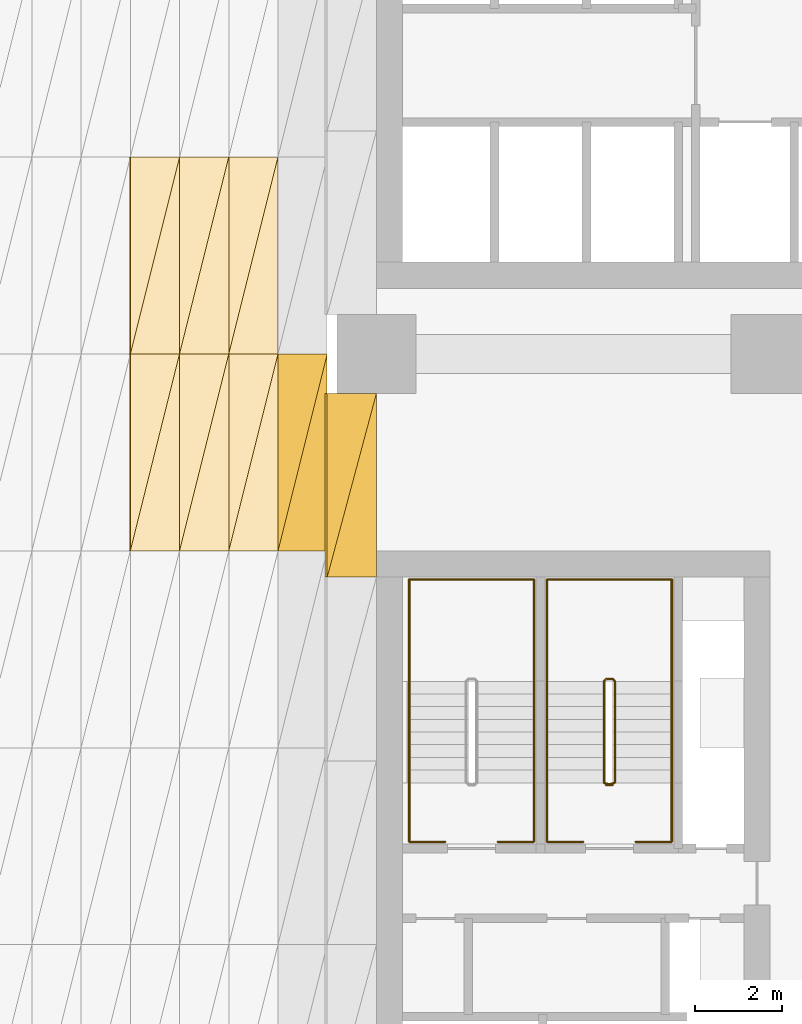
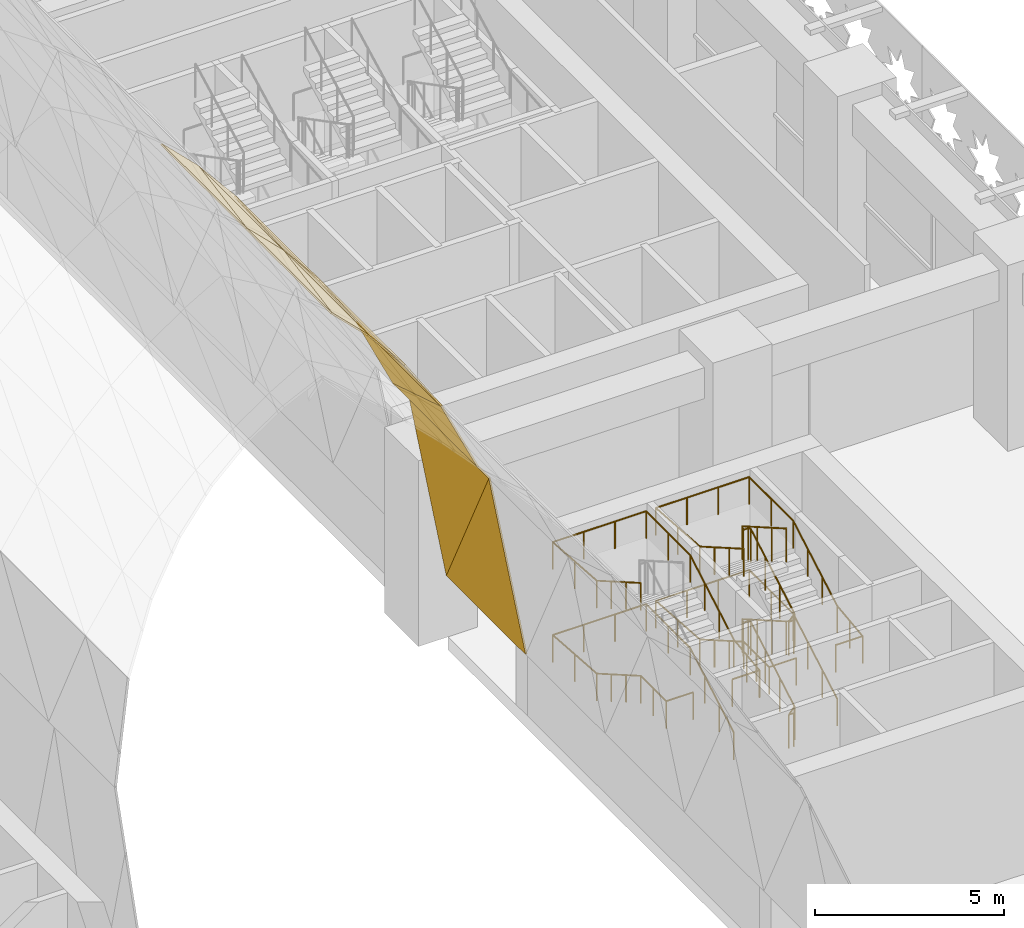
# One storey, part 38 of 46: 16 coverings, 5 railings.
"""IFC4 building model written with IfcOpenShell, lengths in metres."""

from ifc_helpers import new_model, si_unit, direction, frame, origin, origin_2d, place, context, subcontext, project, spatial, polyline, circle, outline, extrude, material, layer, layer_set, type_object, element, save


model = new_model("IFC4")

# Units and contexts
model_context = context("Model", 3, precision=1e-05, world=origin(), true_north=direction((0.0, 1.0)))
body_context = subcontext(model_context, "Body", "Model", "MODEL_VIEW")
ifc_project = project(units=[si_unit("LENGTHUNIT", "METRE"), si_unit("AREAUNIT", "SQUARE_METRE"), si_unit("VOLUMEUNIT", "CUBIC_METRE"), si_unit("PLANEANGLEUNIT", "RADIAN"), si_unit("MASSUNIT", "GRAM", prefix="KILO")], contexts=[model_context])

# Site, building, storey
site_placement = place(None, origin())
site = spatial("IfcSite", under=ifc_project, at=site_placement, CompositionType="ELEMENT")
building_placement = place(site_placement, origin())
building = spatial("IfcBuilding", under=site, at=building_placement, Name="Tessera Arch", CompositionType="ELEMENT")
storey_placement = place(building_placement, frame((0.0, 0.0, 8.0)))
storey = spatial("IfcBuildingStorey", under=building, at=storey_placement, Name="L01", CompositionType="ELEMENT", Elevation=8.0)

# Coverings
ifc_material_1 = material(Name="Aluminium cladding pale metal anodised", Category="aluminium")
ifc_layer = layer(ifc_material_1, 0.050048828125)
ifc_layer_set = layer_set([ifc_layer], Name="Arch soffit panel")
covering_type = type_object("IfcCoveringType", Name="Arch soffit panel", PredefinedType="CLADDING", material=ifc_layer_set)
covering_1_placement = place(storey_placement, frame((30.375, 22.5, 14.6337890625), z_axis=(0.70300502251, 0.0, 0.711184883364), x_axis=(0.711184883364, 0.0, -0.70300502251)))
element("IfcCovering", 1, at=covering_1_placement, inside=storey, type_object=covering_type, Name="Arch soffit panel 12-6-1", PredefinedType="CLADDING", context=body_context, shape_type="SweptSolid", body=[
    extrude(outline(polyline([(0.0, 0.0), (1.5818671435730385, 0.0), (1.5818671435730385, 4.5), (0.0, 0.0)])), origin(), (0.0, 0.0, -1.0), 0.050048828125),
])
covering_2_placement = place(storey_placement, frame((30.375, 22.5, 14.6337890625), z_axis=(0.70300502251, 0.0, 0.711184883364), x_axis=(0.235852147397, 0.943408589587, -0.233139438236)))
element("IfcCovering", 2, at=covering_2_placement, inside=storey, type_object=covering_type, Name="Arch soffit panel 12-6-2", PredefinedType="CLADDING", context=body_context, shape_type="SweptSolid", body=[
    extrude(outline(polyline([(0.0, 0.0), (4.769937490147635, 0.0), (4.245338653143071, 1.4923470508328087), (0.0, 0.0)])), origin(), (0.0, 0.0, -1.0), 0.050048828125),
])
covering_3_placement = place(storey_placement, frame((30.375, 27.0, 14.6337890625), z_axis=(0.70300502251, 0.0, 0.711184883364), x_axis=(0.711184883364, 0.0, -0.70300502251)))
element("IfcCovering", 3, at=covering_3_placement, inside=storey, type_object=covering_type, Name="Arch soffit panel 12-7-1", PredefinedType="CLADDING", context=body_context, shape_type="SweptSolid", body=[
    extrude(outline(polyline([(0.0, 0.0), (1.5818671435730385, 0.0), (1.5818671435730385, 4.5), (0.0, 0.0)])), origin(), (0.0, 0.0, -1.0), 0.050048828125),
])
covering_4_placement = place(storey_placement, frame((30.375, 27.0, 14.6337890625), z_axis=(0.70300502251, 0.0, 0.711184883364), x_axis=(0.235852147397, 0.943408589587, -0.233139438236)))
element("IfcCovering", 4, at=covering_4_placement, inside=storey, type_object=covering_type, Name="Arch soffit panel 12-7-2", PredefinedType="CLADDING", context=body_context, shape_type="SweptSolid", body=[
    extrude(outline(polyline([(0.0, 0.0), (4.769937490147635, 0.0), (4.245338653143071, 1.4923470508328087), (0.0, 0.0)])), origin(), (0.0, 0.0, -1.0), 0.050048828125),
])
covering_5_placement = place(storey_placement, frame((31.5, 22.5, 13.521728515625), z_axis=(0.769435590456, 0.0, 0.638724410164), x_axis=(0.638724410164, 0.0, -0.769435590456)))
element("IfcCovering", 5, at=covering_5_placement, inside=storey, type_object=covering_type, Name="Arch soffit panel 13-6-1", PredefinedType="CLADDING", context=body_context, shape_type="SweptSolid", body=[
    extrude(outline(polyline([(0.0, 0.0), (1.7613230089496987, 0.0), (1.7613230089496987, 4.5), (0.0, 0.0)])), origin(), (0.0, 0.0, -1.0), 0.050048828125),
])
covering_6_placement = place(storey_placement, frame((31.5, 22.5, 13.521728515625), z_axis=(0.769435590456, 0.0, 0.638724410164), x_axis=(0.232802733554, 0.931210934214, -0.280444438793)))
element("IfcCovering", 6, at=covering_6_placement, inside=storey, type_object=covering_type, Name="Arch soffit panel 13-6-2", PredefinedType="CLADDING", context=body_context, shape_type="SweptSolid", body=[
    extrude(outline(polyline([(0.0, 0.0), (4.832417484226257, 2.220446049250313e-16), (4.190449203964491, 1.640163244617246), (0.0, 0.0)])), origin(), (0.0, 0.0, -1.0), 0.050048828125),
])
covering_7_placement = place(storey_placement, frame((31.5, 27.0, 13.521728515625), z_axis=(0.769435590456, 0.0, 0.638724410164), x_axis=(0.638724410164, 0.0, -0.769435590456)))
element("IfcCovering", 7, at=covering_7_placement, inside=storey, type_object=covering_type, Name="Arch soffit panel 13-7-1", PredefinedType="CLADDING", context=body_context, shape_type="SweptSolid", body=[
    extrude(outline(polyline([(0.0, 0.0), (1.7613230089496987, 0.0), (1.7613230089496987, 4.5), (0.0, 0.0)])), origin(), (0.0, 0.0, -1.0), 0.050048828125),
])
covering_8_placement = place(storey_placement, frame((31.5, 27.0, 13.521728515625), z_axis=(0.769435590456, 0.0, 0.638724410164), x_axis=(0.232802733554, 0.931210934214, -0.280444438793)))
element("IfcCovering", 8, at=covering_8_placement, inside=storey, type_object=covering_type, Name="Arch soffit panel 13-7-2", PredefinedType="CLADDING", context=body_context, shape_type="SweptSolid", body=[
    extrude(outline(polyline([(0.0, 0.0), (4.832417484226257, 2.220446049250313e-16), (4.190449203964491, 1.640163244617246), (0.0, 0.0)])), origin(), (0.0, 0.0, -1.0), 0.050048828125),
])
covering_9_placement = place(storey_placement, frame((32.625, 22.5, 12.16650390625), z_axis=(0.836058150895, 0.0, 0.548640837272), x_axis=(0.548640837272, 0.0, -0.836058150895)))
element("IfcCovering", 9, at=covering_9_placement, inside=storey, type_object=covering_type, Name="Arch soffit panel 14-6-1", PredefinedType="CLADDING", context=body_context, shape_type="SweptSolid", body=[
    extrude(outline(polyline([(0.0, 0.0), (2.050521805110356, 0.0), (2.050521805110356, 4.500000000000001), (0.0, 0.0)])), origin(), (0.0, 0.0, -1.0), 0.050048828125),
])
covering_10_placement = place(storey_placement, frame((32.625, 22.5, 12.16650390625), z_axis=(0.836058150895, 0.0, 0.548640837272), x_axis=(0.227495016996, 0.909980067983, -0.346673179111)))
element("IfcCovering", 10, at=covering_10_placement, inside=storey, type_object=covering_type, Name="Arch soffit panel 14-6-2", PredefinedType="CLADDING", context=body_context, shape_type="SweptSolid", body=[
    extrude(outline(polyline([(0.0, 0.0), (4.945163260523664, 0.0), (4.094910305924995, 1.8659339716156267), (0.0, 0.0)])), origin(), (0.0, 0.0, -1.0), 0.050048828125),
])
covering_11_placement = place(storey_placement, frame((32.625, 27.0, 12.16650390625), z_axis=(0.836058150895, 0.0, 0.548640837272), x_axis=(0.548640837272, 0.0, -0.836058150895)))
element("IfcCovering", 11, at=covering_11_placement, inside=storey, type_object=covering_type, Name="Arch soffit panel 14-7-1", PredefinedType="CLADDING", context=body_context, shape_type="SweptSolid", body=[
    extrude(outline(polyline([(0.0, 0.0), (2.050521805110356, 0.0), (2.050521805110356, 4.500000000000001), (0.0, 0.0)])), origin(), (0.0, 0.0, -1.0), 0.050048828125),
])
covering_12_placement = place(storey_placement, frame((32.625, 27.0, 12.16650390625), z_axis=(0.836058150895, 0.0, 0.548640837272), x_axis=(0.227495016996, 0.909980067983, -0.346673179111)))
element("IfcCovering", 12, at=covering_12_placement, inside=storey, type_object=covering_type, Name="Arch soffit panel 14-7-2", PredefinedType="CLADDING", context=body_context, shape_type="SweptSolid", body=[
    extrude(outline(polyline([(0.0, 0.0), (4.945163260523664, 0.0), (4.094910305924995, 1.8659339716156267), (0.0, 0.0)])), origin(), (0.0, 0.0, -1.0), 0.050048828125),
])
covering_13_placement = place(storey_placement, frame((33.75, 22.5, 10.4521484375), z_axis=(0.903430696756, 0.0, 0.428734155577), x_axis=(0.428734155577, 0.0, -0.903430696756)))
element("IfcCovering", 13, at=covering_13_placement, inside=storey, type_object=covering_type, Name="Arch soffit panel 15-6-1", PredefinedType="CLADDING", context=body_context, shape_type="SweptSolid", body=[
    extrude(outline(polyline([(0.0, 0.0), (2.624003675391368, 0.0), (2.624003675391368, 4.500000000000001), (0.0, 0.0)])), origin(), (0.0, 0.0, -1.0), 0.050048828125),
])
covering_14_placement = place(storey_placement, frame((33.75, 22.5, 10.4521484375), z_axis=(0.903430696756, 0.0, 0.428734155577), x_axis=(0.215965533365, 0.863862133459, -0.455083621739)))
element("IfcCovering", 14, at=covering_14_placement, inside=storey, type_object=covering_type, Name="Arch soffit panel 15-6-2", PredefinedType="CLADDING", context=body_context, shape_type="SweptSolid", body=[
    extrude(outline(polyline([(0.0, 0.0), (5.209164548031422, 0.0), (3.887379600564281, 2.2667774132271337), (0.0, 0.0)])), origin(), (0.0, 0.0, -1.0), 0.050048828125),
])
covering_15_placement = place(storey_placement, frame((34.875, 21.89990234375, 8.08154296875), z_axis=(0.98331706381, 0.0, 0.181899840628), x_axis=(0.181899840628, 0.0, -0.98331706381)))
element("IfcCovering", 15, at=covering_15_placement, inside=storey, type_object=covering_type, Name="Arch soffit panel 16-6-1", PredefinedType="CLADDING", context=body_context, shape_type="SweptSolid", body=[
    extrude(outline(polyline([(0.0, 0.0), (6.184722296170829, 0.0), (6.184722296170829, 4.200195312500001), (0.0, 0.0)])), origin(), (0.0, 0.0, -1.0), 0.050048828125),
])
covering_16_placement = place(storey_placement, frame((34.875, 21.89990234375, 8.08154296875), z_axis=(0.98331706381, 0.0, 0.181899840628), x_axis=(0.150479044377, 0.561814557175, -0.813462021578)))
element("IfcCovering", 16, at=covering_16_placement, inside=storey, type_object=covering_type, Name="Arch soffit panel 16-6-2", PredefinedType="CLADDING", context=body_context, shape_type="SweptSolid", body=[
    extrude(outline(polyline([(0.0, 0.0), (7.47612403213721, 4.440892098500626e-16), (2.3597308695403933, 3.4746670180731147), (0.0, 0.0)])), origin(), (0.0, 0.0, -1.0), 0.050048828125),
])

# Railings
ifc_material_2 = material(Name="Painted steel balustrade", Category="steel")
railing_type_1 = type_object("IfcRailingType", Name="Stair guard 1100", PredefinedType="GUARDRAIL", material=ifc_material_2)
railing_1_placement = place(storey_placement, frame((41.39990234375, 17.14990234375, 0.0)))
element("IfcRailing", 17, at=railing_1_placement, inside=storey, type_object=railing_type_1, Name="L01 S3b stair guard 1", PredefinedType="GUARDRAIL", context=body_context, shape_type="SweptSolid", body=[
    extrude(circle(Radius=0.02392578125, at=origin_2d()), frame((0.00390625, 0.0, 1.076171875), z_axis=(-1.0, 0.0, 0.0), x_axis=(0.0, -1.0, 0.0)), (0.0, 0.0, 1.0), 0.157958984375),
    extrude(circle(Radius=0.02392578125, at=origin_2d()), frame((-0.15283203125, -0.000732421875, 1.073486328125), z_axis=(0.754182335027, 0.188775798145, 0.628945707965), x_axis=(-0.242814311512, 0.970072785993, 0.0)), (0.0, 0.0, 1.0), 0.273193359375),
    extrude(circle(Radius=0.02392578125, at=origin_2d()), frame((0.050048828125, 0.046630859375, 1.24072265625), z_axis=(0.0, 0.867033425039, 0.498249977285), x_axis=(-1.0, 0.0, 0.0)), (0.0, 0.0, 1.0), 2.683837890625),
    extrude(circle(Radius=0.02392578125, at=origin_2d()), frame((0.052978515625, 2.3671875, 2.576171875), z_axis=(-0.707106781187, 0.707106781187, 0.0), x_axis=(-0.707106781187, -0.707106781187, 0.0)), (0.0, 0.0, 1.0), 0.078857421875),
    extrude(circle(Radius=0.02392578125, at=origin_2d()), frame((0.00390625, 2.420166015625, 2.576171875), z_axis=(-1.0, 0.0, 0.0), x_axis=(0.0, -1.0, 0.0)), (0.0, 0.0, 1.0), 0.157958984375),
    extrude(circle(Radius=0.02392578125, at=origin_2d()), frame((-0.148681640625, 2.42138671875, 2.572265625), z_axis=(-0.27628659633, -0.27628659633, 0.920506074601), x_axis=(0.707106781187, -0.707106781187, 0.0)), (0.0, 0.0, 1.0), 0.189208984375),
    extrude(circle(Radius=0.02392578125, at=origin_2d()), frame((-0.199951171875, 2.37353515625, 2.74072265625), z_axis=(0.0, -0.867033425039, 0.498249977285), x_axis=(1.0, 0.0, 0.0)), (0.0, 0.0, 1.0), 2.683837890625),
    extrude(circle(Radius=0.02392578125, at=origin_2d()), frame((-0.203857421875, 0.051025390625, 4.076171875), z_axis=(0.970072785993, -0.242814311512, 0.0), x_axis=(0.242814311512, 0.970072785993, 0.0)), (0.0, 0.0, 1.0), 0.214111328125),
    extrude(circle(Radius=0.02392578125, at=origin_2d()), frame((0.00390625, 0.0, 4.076171875), z_axis=(-1.0, 0.0, 0.0), x_axis=(0.0, -1.0, 0.0)), (0.0, 0.0, 1.0), 0.157958984375),
    extrude(circle(Radius=0.02392578125, at=origin_2d()), frame((-0.15283203125, -0.000732421875, 4.073486328125), z_axis=(0.754182335027, 0.188775798145, 0.628945707965), x_axis=(-0.242814311512, 0.970072785993, 0.0)), (0.0, 0.0, 1.0), 0.273193359375),
    extrude(circle(Radius=0.02392578125, at=origin_2d()), frame((0.050048828125, 0.046630859375, 4.24072265625), z_axis=(0.0, 0.867033425039, 0.498249977285), x_axis=(-1.0, 0.0, 0.0)), (0.0, 0.0, 1.0), 2.683837890625),
    extrude(circle(Radius=0.02392578125, at=origin_2d()), frame((0.052978515625, 2.3671875, 5.576171875), z_axis=(-0.707106781187, 0.707106781187, 0.0), x_axis=(-0.707106781187, -0.707106781187, 0.0)), (0.0, 0.0, 1.0), 0.078857421875),
    extrude(circle(Radius=0.02392578125, at=origin_2d()), frame((0.00390625, 2.420166015625, 5.576171875), z_axis=(-1.0, 0.0, 0.0), x_axis=(0.0, -1.0, 0.0)), (0.0, 0.0, 1.0), 0.157958984375),
    extrude(circle(Radius=0.02392578125, at=origin_2d()), frame((-0.148681640625, 2.42138671875, 5.572265625), z_axis=(-0.27628659633, -0.27628659633, 0.920506074601), x_axis=(0.707106781187, -0.707106781187, 0.0)), (0.0, 0.0, 1.0), 0.189208984375),
    extrude(circle(Radius=0.02392578125, at=origin_2d()), frame((-0.199951171875, 2.37353515625, 5.74072265625), z_axis=(0.0, -0.867033425039, 0.498249977285), x_axis=(1.0, 0.0, 0.0)), (0.0, 0.0, 1.0), 2.683837890625),
    extrude(circle(Radius=0.02099609375, at=origin_2d()), origin(), (0.0, 0.0, 1.0), 1.06396484375),
    extrude(circle(Radius=0.02099609375, at=origin_2d()), frame((-0.14990234375, 0.0, 0.0)), (0.0, 0.0, 1.0), 1.06396484375),
    extrude(circle(Radius=0.02099609375, at=origin_2d()), frame((0.050048828125, 0.050048828125, 0.166748046875)), (0.0, 0.0, 1.0), 1.06396484375),
    extrude(circle(Radius=0.02099609375, at=origin_2d()), frame((0.050048828125, 0.823486328125, 0.611083984375)), (0.0, 0.0, 1.0), 1.06396484375),
    extrude(circle(Radius=0.02099609375, at=origin_2d()), frame((0.050048828125, 1.5966796875, 1.0556640625)), (0.0, 0.0, 1.0), 1.06396484375),
    extrude(circle(Radius=0.02099609375, at=origin_2d()), frame((0.050048828125, 2.3701171875, 1.5)), (0.0, 0.0, 1.0), 1.06396484375),
    extrude(circle(Radius=0.02099609375, at=origin_2d()), frame((0.0, 2.420166015625, 1.5)), (0.0, 0.0, 1.0), 1.06396484375),
    extrude(circle(Radius=0.02099609375, at=origin_2d()), frame((-0.14990234375, 2.420166015625, 1.5)), (0.0, 0.0, 1.0), 1.06396484375),
    extrude(circle(Radius=0.02099609375, at=origin_2d()), frame((-0.199951171875, 2.3701171875, 1.666748046875)), (0.0, 0.0, 1.0), 1.06396484375),
    extrude(circle(Radius=0.02099609375, at=origin_2d()), frame((-0.199951171875, 1.5966796875, 2.111083984375)), (0.0, 0.0, 1.0), 1.06396484375),
    extrude(circle(Radius=0.02099609375, at=origin_2d()), frame((-0.199951171875, 0.823486328125, 2.5556640625)), (0.0, 0.0, 1.0), 1.06396484375),
    extrude(circle(Radius=0.02099609375, at=origin_2d()), frame((-0.199951171875, 0.050048828125, 3.0)), (0.0, 0.0, 1.0), 1.06396484375),
    extrude(circle(Radius=0.02099609375, at=origin_2d()), frame((0.0, 0.0, 3.0)), (0.0, 0.0, 1.0), 1.06396484375),
    extrude(circle(Radius=0.02099609375, at=origin_2d()), frame((-0.14990234375, 0.0, 3.0)), (0.0, 0.0, 1.0), 1.06396484375),
    extrude(circle(Radius=0.02099609375, at=origin_2d()), frame((0.050048828125, 0.050048828125, 3.166748046875)), (0.0, 0.0, 1.0), 1.06396484375),
    extrude(circle(Radius=0.02099609375, at=origin_2d()), frame((0.050048828125, 0.823486328125, 3.611083984375)), (0.0, 0.0, 1.0), 1.06396484375),
    extrude(circle(Radius=0.02099609375, at=origin_2d()), frame((0.050048828125, 1.5966796875, 4.0556640625)), (0.0, 0.0, 1.0), 1.06396484375),
    extrude(circle(Radius=0.02099609375, at=origin_2d()), frame((0.050048828125, 2.3701171875, 4.5)), (0.0, 0.0, 1.0), 1.06396484375),
    extrude(circle(Radius=0.02099609375, at=origin_2d()), frame((0.0, 2.420166015625, 4.5)), (0.0, 0.0, 1.0), 1.06396484375),
    extrude(circle(Radius=0.02099609375, at=origin_2d()), frame((-0.14990234375, 2.420166015625, 4.5)), (0.0, 0.0, 1.0), 1.06396484375),
    extrude(circle(Radius=0.02099609375, at=origin_2d()), frame((-0.199951171875, 2.3701171875, 4.666748046875)), (0.0, 0.0, 1.0), 1.06396484375),
    extrude(circle(Radius=0.02099609375, at=origin_2d()), frame((-0.199951171875, 1.5966796875, 5.111083984375)), (0.0, 0.0, 1.0), 1.06396484375),
    extrude(circle(Radius=0.02099609375, at=origin_2d()), frame((-0.199951171875, 0.823486328125, 5.5556640625)), (0.0, 0.0, 1.0), 1.06396484375),
    extrude(circle(Radius=0.02099609375, at=origin_2d()), frame((-0.199951171875, 0.050048828125, 6.0)), (0.0, 0.0, 1.0), 1.06396484375),
])
ifc_material_3 = material(Name="Painted steel handrail", Category="steel")
railing_type_2 = type_object("IfcRailingType", Name="Stair handrail 900", PredefinedType="HANDRAIL", material=ifc_material_3)
railing_2_placement = place(storey_placement, frame((39.60009765625, 17.199951171875, 0.166748046875)))
element("IfcRailing", 18, at=railing_2_placement, inside=storey, type_object=railing_type_2, Name="L01 S3a stair handrail", PredefinedType="HANDRAIL", context=body_context, shape_type="SweptSolid", body=[
    extrude(circle(Radius=0.02392578125, at=origin_2d()), frame((0.0, -0.00341796875, 0.873779296875), z_axis=(0.0, 0.867033425039, 0.498249977285), x_axis=(-1.0, 0.0, 0.0)), (0.0, 0.0, 1.0), 2.683837890625),
    extrude(circle(Radius=0.02392578125, at=origin_2d()), frame((0.0, 2.316162109375, 2.208984375), z_axis=(0.0, 1.0, 0.0), x_axis=(-1.0, 0.0, 0.0)), (0.0, 0.0, 1.0), 2.338134765625),
    extrude(circle(Radius=0.02392578125, at=origin_2d()), frame((0.00390625, 4.650146484375, 2.208984375), z_axis=(-1.0, 0.0, 0.0), x_axis=(0.0, -1.0, 0.0)), (0.0, 0.0, 1.0), 2.858154296875),
    extrude(circle(Radius=0.02392578125, at=origin_2d()), frame((-2.85009765625, 4.654052734375, 2.208740234375), z_axis=(0.0, -0.99744914168, 0.071380738031), x_axis=(1.0, 0.0, 0.0)), (0.0, 0.0, 1.0), 2.343994140625),
    extrude(circle(Radius=0.02392578125, at=origin_2d()), frame((-2.85009765625, 2.323486328125, 2.373779296875), z_axis=(0.0, -0.867033425039, 0.498249977285), x_axis=(1.0, 0.0, 0.0)), (0.0, 0.0, 1.0), 2.683837890625),
    extrude(circle(Radius=0.02392578125, at=origin_2d()), frame((-2.85009765625, 0.00390625, 3.708984375), z_axis=(0.0, -1.0, 0.0), x_axis=(1.0, 0.0, 0.0)), (0.0, 0.0, 1.0), 1.35791015625),
    extrude(circle(Radius=0.02392578125, at=origin_2d()), frame((-2.85400390625, -1.349853515625, 3.708984375), z_axis=(1.0, 0.0, 0.0), x_axis=(0.0, 1.0, 0.0)), (0.0, 0.0, 1.0), 0.8330078125),
    extrude(circle(Radius=0.02099609375, at=origin_2d()), origin(), (0.0, 0.0, 1.0), 0.86376953125),
    extrude(circle(Radius=0.02099609375, at=origin_2d()), frame((0.0, 0.7734375, 0.4443359375)), (0.0, 0.0, 1.0), 0.86376953125),
    extrude(circle(Radius=0.02099609375, at=origin_2d()), frame((0.0, 1.546630859375, 0.888916015625)), (0.0, 0.0, 1.0), 0.86376953125),
    extrude(circle(Radius=0.02099609375, at=origin_2d()), frame((0.0, 2.320068359375, 1.333251953125)), (0.0, 0.0, 1.0), 0.86376953125),
    extrude(circle(Radius=0.02099609375, at=origin_2d()), frame((0.0, 3.485107421875, 1.333251953125)), (0.0, 0.0, 1.0), 0.86376953125),
    extrude(circle(Radius=0.02099609375, at=origin_2d()), frame((0.0, 4.650146484375, 1.333251953125)), (0.0, 0.0, 1.0), 0.86376953125),
    extrude(circle(Radius=0.02099609375, at=origin_2d()), frame((-0.949951171875, 4.650146484375, 1.333251953125)), (0.0, 0.0, 1.0), 0.86376953125),
    extrude(circle(Radius=0.02099609375, at=origin_2d()), frame((-1.900146484375, 4.650146484375, 1.333251953125)), (0.0, 0.0, 1.0), 0.86376953125),
    extrude(circle(Radius=0.02099609375, at=origin_2d()), frame((-2.85009765625, 4.650146484375, 1.333251953125)), (0.0, 0.0, 1.0), 0.86376953125),
    extrude(circle(Radius=0.02099609375, at=origin_2d()), frame((-2.85009765625, 3.485107421875, 1.41650390625)), (0.0, 0.0, 1.0), 0.86376953125),
    extrude(circle(Radius=0.02099609375, at=origin_2d()), frame((-2.85009765625, 2.320068359375, 1.5)), (0.0, 0.0, 1.0), 0.86376953125),
    extrude(circle(Radius=0.02099609375, at=origin_2d()), frame((-2.85009765625, 1.546630859375, 1.9443359375)), (0.0, 0.0, 1.0), 0.86376953125),
    extrude(circle(Radius=0.02099609375, at=origin_2d()), frame((-2.85009765625, 0.7734375, 2.388916015625)), (0.0, 0.0, 1.0), 0.86376953125),
    extrude(circle(Radius=0.02099609375, at=origin_2d()), frame((-2.85009765625, 0.0, 2.833251953125)), (0.0, 0.0, 1.0), 0.86376953125),
    extrude(circle(Radius=0.02099609375, at=origin_2d()), frame((-2.85009765625, -0.6748046875, 2.833251953125)), (0.0, 0.0, 1.0), 0.86376953125),
    extrude(circle(Radius=0.02099609375, at=origin_2d()), frame((-2.85009765625, -1.349853515625, 2.833251953125)), (0.0, 0.0, 1.0), 0.86376953125),
    extrude(circle(Radius=0.02099609375, at=origin_2d()), frame((-2.025146484375, -1.349853515625, 2.833251953125)), (0.0, 0.0, 1.0), 0.86376953125),
])
railing_3_placement = place(storey_placement, frame((38.77490234375, 15.85009765625, 3.0)))
element("IfcRailing", 19, at=railing_3_placement, inside=storey, type_object=railing_type_2, Name="L01 S3a stair handrail 2", PredefinedType="HANDRAIL", context=body_context, shape_type="SweptSolid", body=[
    extrude(circle(Radius=0.02392578125, at=origin_2d()), frame((-0.00390625, 0.0, 0.8759765625), z_axis=(1.0, 0.0, 0.0), x_axis=(0.0, 1.0, 0.0)), (0.0, 0.0, 1.0), 0.833251953125),
    extrude(circle(Radius=0.02392578125, at=origin_2d()), frame((0.8251953125, -0.00390625, 0.875244140625), z_axis=(0.0, 0.992456337791, 0.122598603493), x_axis=(-1.0, 0.0, 0.0)), (0.0, 0.0, 1.0), 1.3681640625),
    extrude(circle(Radius=0.02392578125, at=origin_2d()), frame((0.8251953125, 1.346435546875, 1.04052734375), z_axis=(0.0, 0.867033425039, 0.498249977285), x_axis=(-1.0, 0.0, 0.0)), (0.0, 0.0, 1.0), 2.683837890625),
    extrude(circle(Radius=0.02392578125, at=origin_2d()), frame((0.8251953125, 3.666015625, 2.3759765625), z_axis=(0.0, 1.0, 0.0), x_axis=(-1.0, 0.0, 0.0)), (0.0, 0.0, 1.0), 2.338134765625),
    extrude(circle(Radius=0.02392578125, at=origin_2d()), frame((0.8291015625, 6.0, 2.3759765625), z_axis=(-1.0, 0.0, 0.0), x_axis=(0.0, -1.0, 0.0)), (0.0, 0.0, 1.0), 2.858154296875),
    extrude(circle(Radius=0.02392578125, at=origin_2d()), frame((-2.02490234375, 6.00390625, 2.37548828125), z_axis=(0.0, -0.99744914168, 0.071380738031), x_axis=(1.0, 0.0, 0.0)), (0.0, 0.0, 1.0), 2.343994140625),
    extrude(circle(Radius=0.02392578125, at=origin_2d()), frame((-2.02490234375, 3.67333984375, 2.54052734375), z_axis=(0.0, -0.867033425039, 0.498249977285), x_axis=(1.0, 0.0, 0.0)), (0.0, 0.0, 1.0), 2.683837890625),
    extrude(circle(Radius=0.02099609375, at=origin_2d()), origin(), (0.0, 0.0, 1.0), 0.86376953125),
    extrude(circle(Radius=0.02099609375, at=origin_2d()), frame((0.8251953125, 0.0, 0.0)), (0.0, 0.0, 1.0), 0.86376953125),
    extrude(circle(Radius=0.02099609375, at=origin_2d()), frame((0.8251953125, 0.6748046875, 0.08349609375)), (0.0, 0.0, 1.0), 0.86376953125),
    extrude(circle(Radius=0.02099609375, at=origin_2d()), frame((0.8251953125, 1.349853515625, 0.166748046875)), (0.0, 0.0, 1.0), 0.86376953125),
    extrude(circle(Radius=0.02099609375, at=origin_2d()), frame((0.8251953125, 2.123291015625, 0.611083984375)), (0.0, 0.0, 1.0), 0.86376953125),
    extrude(circle(Radius=0.02099609375, at=origin_2d()), frame((0.8251953125, 2.896484375, 1.0556640625)), (0.0, 0.0, 1.0), 0.86376953125),
    extrude(circle(Radius=0.02099609375, at=origin_2d()), frame((0.8251953125, 3.669921875, 1.5)), (0.0, 0.0, 1.0), 0.86376953125),
    extrude(circle(Radius=0.02099609375, at=origin_2d()), frame((0.8251953125, 4.8349609375, 1.5)), (0.0, 0.0, 1.0), 0.86376953125),
    extrude(circle(Radius=0.02099609375, at=origin_2d()), frame((0.8251953125, 6.0, 1.5)), (0.0, 0.0, 1.0), 0.86376953125),
    extrude(circle(Radius=0.02099609375, at=origin_2d()), frame((-0.124755859375, 6.0, 1.5)), (0.0, 0.0, 1.0), 0.86376953125),
    extrude(circle(Radius=0.02099609375, at=origin_2d()), frame((-1.074951171875, 6.0, 1.5)), (0.0, 0.0, 1.0), 0.86376953125),
    extrude(circle(Radius=0.02099609375, at=origin_2d()), frame((-2.02490234375, 6.0, 1.5)), (0.0, 0.0, 1.0), 0.86376953125),
    extrude(circle(Radius=0.02099609375, at=origin_2d()), frame((-2.02490234375, 4.8349609375, 1.58349609375)), (0.0, 0.0, 1.0), 0.86376953125),
    extrude(circle(Radius=0.02099609375, at=origin_2d()), frame((-2.02490234375, 3.669921875, 1.666748046875)), (0.0, 0.0, 1.0), 0.86376953125),
    extrude(circle(Radius=0.02099609375, at=origin_2d()), frame((-2.02490234375, 2.896484375, 2.111083984375)), (0.0, 0.0, 1.0), 0.86376953125),
    extrude(circle(Radius=0.02099609375, at=origin_2d()), frame((-2.02490234375, 2.123291015625, 2.5556640625)), (0.0, 0.0, 1.0), 0.86376953125),
    extrude(circle(Radius=0.02099609375, at=origin_2d()), frame((-2.02490234375, 1.349853515625, 3.0)), (0.0, 0.0, 1.0), 0.86376953125),
])
railing_4_placement = place(storey_placement, frame((42.75, 17.199951171875, 0.166748046875)))
element("IfcRailing", 20, at=railing_4_placement, inside=storey, type_object=railing_type_2, Name="L01 S3b stair handrail", PredefinedType="HANDRAIL", context=body_context, shape_type="SweptSolid", body=[
    extrude(circle(Radius=0.02392578125, at=origin_2d()), frame((0.0, -0.00341796875, 0.873779296875), z_axis=(0.0, 0.867033425039, 0.498249977285), x_axis=(-1.0, 0.0, 0.0)), (0.0, 0.0, 1.0), 2.683837890625),
    extrude(circle(Radius=0.02392578125, at=origin_2d()), frame((0.0, 2.316162109375, 2.208984375), z_axis=(0.0, 1.0, 0.0), x_axis=(-1.0, 0.0, 0.0)), (0.0, 0.0, 1.0), 2.338134765625),
    extrude(circle(Radius=0.02392578125, at=origin_2d()), frame((0.00390625, 4.650146484375, 2.208984375), z_axis=(-1.0, 0.0, 0.0), x_axis=(0.0, -1.0, 0.0)), (0.0, 0.0, 1.0), 2.858154296875),
    extrude(circle(Radius=0.02392578125, at=origin_2d()), frame((-2.85009765625, 4.654052734375, 2.208740234375), z_axis=(0.0, -0.99744914168, 0.071380738031), x_axis=(1.0, 0.0, 0.0)), (0.0, 0.0, 1.0), 2.343994140625),
    extrude(circle(Radius=0.02392578125, at=origin_2d()), frame((-2.85009765625, 2.323486328125, 2.373779296875), z_axis=(0.0, -0.867033425039, 0.498249977285), x_axis=(1.0, 0.0, 0.0)), (0.0, 0.0, 1.0), 2.683837890625),
    extrude(circle(Radius=0.02392578125, at=origin_2d()), frame((-2.85009765625, 0.00390625, 3.708984375), z_axis=(0.0, -1.0, 0.0), x_axis=(1.0, 0.0, 0.0)), (0.0, 0.0, 1.0), 1.35791015625),
    extrude(circle(Radius=0.02392578125, at=origin_2d()), frame((-2.85400390625, -1.349853515625, 3.708984375), z_axis=(1.0, 0.0, 0.0), x_axis=(0.0, 1.0, 0.0)), (0.0, 0.0, 1.0), 0.833251953125),
    extrude(circle(Radius=0.02099609375, at=origin_2d()), origin(), (0.0, 0.0, 1.0), 0.86376953125),
    extrude(circle(Radius=0.02099609375, at=origin_2d()), frame((0.0, 0.7734375, 0.4443359375)), (0.0, 0.0, 1.0), 0.86376953125),
    extrude(circle(Radius=0.02099609375, at=origin_2d()), frame((0.0, 1.546630859375, 0.888916015625)), (0.0, 0.0, 1.0), 0.86376953125),
    extrude(circle(Radius=0.02099609375, at=origin_2d()), frame((0.0, 2.320068359375, 1.333251953125)), (0.0, 0.0, 1.0), 0.86376953125),
    extrude(circle(Radius=0.02099609375, at=origin_2d()), frame((0.0, 3.485107421875, 1.333251953125)), (0.0, 0.0, 1.0), 0.86376953125),
    extrude(circle(Radius=0.02099609375, at=origin_2d()), frame((0.0, 4.650146484375, 1.333251953125)), (0.0, 0.0, 1.0), 0.86376953125),
    extrude(circle(Radius=0.02099609375, at=origin_2d()), frame((-0.949951171875, 4.650146484375, 1.333251953125)), (0.0, 0.0, 1.0), 0.86376953125),
    extrude(circle(Radius=0.02099609375, at=origin_2d()), frame((-1.900146484375, 4.650146484375, 1.333251953125)), (0.0, 0.0, 1.0), 0.86376953125),
    extrude(circle(Radius=0.02099609375, at=origin_2d()), frame((-2.85009765625, 4.650146484375, 1.333251953125)), (0.0, 0.0, 1.0), 0.86376953125),
    extrude(circle(Radius=0.02099609375, at=origin_2d()), frame((-2.85009765625, 3.485107421875, 1.41650390625)), (0.0, 0.0, 1.0), 0.86376953125),
    extrude(circle(Radius=0.02099609375, at=origin_2d()), frame((-2.85009765625, 2.320068359375, 1.5)), (0.0, 0.0, 1.0), 0.86376953125),
    extrude(circle(Radius=0.02099609375, at=origin_2d()), frame((-2.85009765625, 1.546630859375, 1.9443359375)), (0.0, 0.0, 1.0), 0.86376953125),
    extrude(circle(Radius=0.02099609375, at=origin_2d()), frame((-2.85009765625, 0.7734375, 2.388916015625)), (0.0, 0.0, 1.0), 0.86376953125),
    extrude(circle(Radius=0.02099609375, at=origin_2d()), frame((-2.85009765625, 0.0, 2.833251953125)), (0.0, 0.0, 1.0), 0.86376953125),
    extrude(circle(Radius=0.02099609375, at=origin_2d()), frame((-2.85009765625, -0.6748046875, 2.833251953125)), (0.0, 0.0, 1.0), 0.86376953125),
    extrude(circle(Radius=0.02099609375, at=origin_2d()), frame((-2.85009765625, -1.349853515625, 2.833251953125)), (0.0, 0.0, 1.0), 0.86376953125),
    extrude(circle(Radius=0.02099609375, at=origin_2d()), frame((-2.02490234375, -1.349853515625, 2.833251953125)), (0.0, 0.0, 1.0), 0.86376953125),
])
railing_5_placement = place(storey_placement, frame((41.925048828125, 15.85009765625, 3.0)))
element("IfcRailing", 21, at=railing_5_placement, inside=storey, type_object=railing_type_2, Name="L01 S3b stair handrail 2", PredefinedType="HANDRAIL", context=body_context, shape_type="SweptSolid", body=[
    extrude(circle(Radius=0.02392578125, at=origin_2d()), frame((-0.00390625, 0.0, 0.8759765625), z_axis=(1.0, 0.0, 0.0), x_axis=(0.0, 1.0, 0.0)), (0.0, 0.0, 1.0), 0.8330078125),
    extrude(circle(Radius=0.02392578125, at=origin_2d()), frame((0.824951171875, -0.00390625, 0.875244140625), z_axis=(0.0, 0.992456337791, 0.122598603493), x_axis=(-1.0, 0.0, 0.0)), (0.0, 0.0, 1.0), 1.3681640625),
    extrude(circle(Radius=0.02392578125, at=origin_2d()), frame((0.824951171875, 1.346435546875, 1.04052734375), z_axis=(0.0, 0.867033425039, 0.498249977285), x_axis=(-1.0, 0.0, 0.0)), (0.0, 0.0, 1.0), 2.683837890625),
    extrude(circle(Radius=0.02392578125, at=origin_2d()), frame((0.824951171875, 3.666015625, 2.3759765625), z_axis=(0.0, 1.0, 0.0), x_axis=(-1.0, 0.0, 0.0)), (0.0, 0.0, 1.0), 2.338134765625),
    extrude(circle(Radius=0.02392578125, at=origin_2d()), frame((0.828857421875, 6.0, 2.3759765625), z_axis=(-1.0, 0.0, 0.0), x_axis=(0.0, -1.0, 0.0)), (0.0, 0.0, 1.0), 2.858154296875),
    extrude(circle(Radius=0.02392578125, at=origin_2d()), frame((-2.025146484375, 6.00390625, 2.37548828125), z_axis=(0.0, -0.99744914168, 0.071380738031), x_axis=(1.0, 0.0, 0.0)), (0.0, 0.0, 1.0), 2.343994140625),
    extrude(circle(Radius=0.02392578125, at=origin_2d()), frame((-2.025146484375, 3.67333984375, 2.54052734375), z_axis=(0.0, -0.867033425039, 0.498249977285), x_axis=(1.0, 0.0, 0.0)), (0.0, 0.0, 1.0), 2.683837890625),
    extrude(circle(Radius=0.02099609375, at=origin_2d()), origin(), (0.0, 0.0, 1.0), 0.86376953125),
    extrude(circle(Radius=0.02099609375, at=origin_2d()), frame((0.824951171875, 0.0, 0.0)), (0.0, 0.0, 1.0), 0.86376953125),
    extrude(circle(Radius=0.02099609375, at=origin_2d()), frame((0.824951171875, 0.6748046875, 0.08349609375)), (0.0, 0.0, 1.0), 0.86376953125),
    extrude(circle(Radius=0.02099609375, at=origin_2d()), frame((0.824951171875, 1.349853515625, 0.166748046875)), (0.0, 0.0, 1.0), 0.86376953125),
    extrude(circle(Radius=0.02099609375, at=origin_2d()), frame((0.824951171875, 2.123291015625, 0.611083984375)), (0.0, 0.0, 1.0), 0.86376953125),
    extrude(circle(Radius=0.02099609375, at=origin_2d()), frame((0.824951171875, 2.896484375, 1.0556640625)), (0.0, 0.0, 1.0), 0.86376953125),
    extrude(circle(Radius=0.02099609375, at=origin_2d()), frame((0.824951171875, 3.669921875, 1.5)), (0.0, 0.0, 1.0), 0.86376953125),
    extrude(circle(Radius=0.02099609375, at=origin_2d()), frame((0.824951171875, 4.8349609375, 1.5)), (0.0, 0.0, 1.0), 0.86376953125),
    extrude(circle(Radius=0.02099609375, at=origin_2d()), frame((0.824951171875, 6.0, 1.5)), (0.0, 0.0, 1.0), 0.86376953125),
    extrude(circle(Radius=0.02099609375, at=origin_2d()), frame((-0.125, 6.0, 1.5)), (0.0, 0.0, 1.0), 0.86376953125),
    extrude(circle(Radius=0.02099609375, at=origin_2d()), frame((-1.0751953125, 6.0, 1.5)), (0.0, 0.0, 1.0), 0.86376953125),
    extrude(circle(Radius=0.02099609375, at=origin_2d()), frame((-2.025146484375, 6.0, 1.5)), (0.0, 0.0, 1.0), 0.86376953125),
    extrude(circle(Radius=0.02099609375, at=origin_2d()), frame((-2.025146484375, 4.8349609375, 1.58349609375)), (0.0, 0.0, 1.0), 0.86376953125),
    extrude(circle(Radius=0.02099609375, at=origin_2d()), frame((-2.025146484375, 3.669921875, 1.666748046875)), (0.0, 0.0, 1.0), 0.86376953125),
    extrude(circle(Radius=0.02099609375, at=origin_2d()), frame((-2.025146484375, 2.896484375, 2.111083984375)), (0.0, 0.0, 1.0), 0.86376953125),
    extrude(circle(Radius=0.02099609375, at=origin_2d()), frame((-2.025146484375, 2.123291015625, 2.5556640625)), (0.0, 0.0, 1.0), 0.86376953125),
    extrude(circle(Radius=0.02099609375, at=origin_2d()), frame((-2.025146484375, 1.349853515625, 3.0)), (0.0, 0.0, 1.0), 0.86376953125),
])

save(model, "model.ifc")
